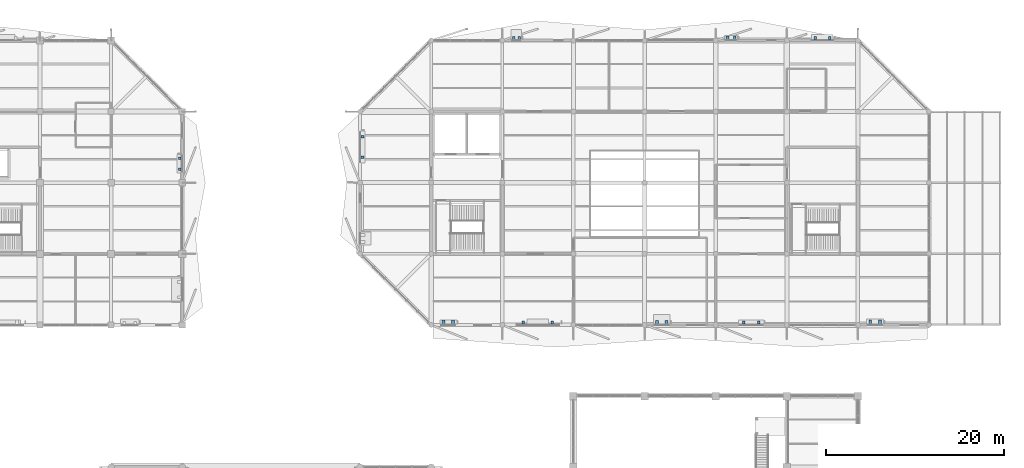
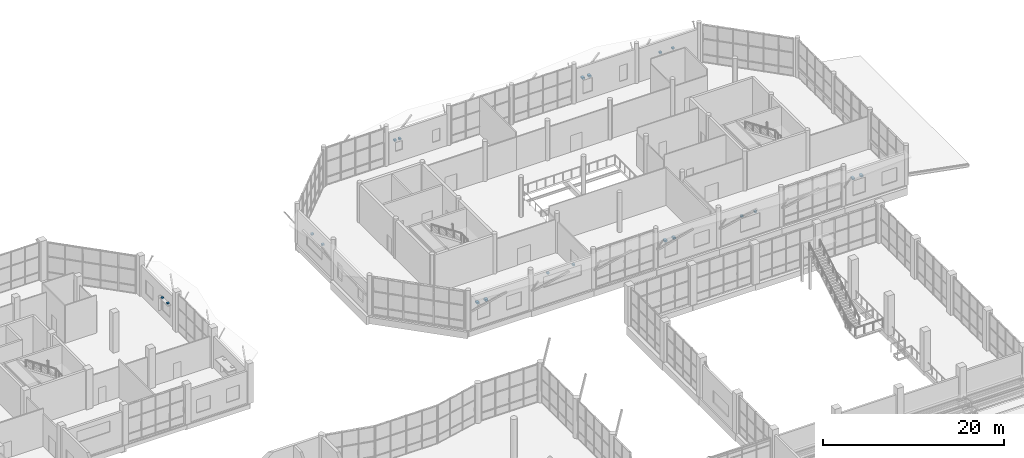
# One storey, part 114 of 122: 20 discrete accessories.
"""IFC4 building model written with IfcOpenShell, lengths in metres."""

from ifc_helpers import new_model, si_unit, direction, frame, origin, origin_2d, place, context, subcontext, project, spatial, rectangle, extrude, material, type_object, element, save


model = new_model("IFC4")

# Units and contexts
model_context = context("Model", 3, precision=1e-05, world=origin(), true_north=direction((0.0, 1.0)))
body_context = subcontext(model_context, "Body", "Model", "MODEL_VIEW")
ifc_project = project(units=[si_unit("LENGTHUNIT", "METRE"), si_unit("AREAUNIT", "SQUARE_METRE"), si_unit("VOLUMEUNIT", "CUBIC_METRE"), si_unit("PLANEANGLEUNIT", "RADIAN"), si_unit("MASSUNIT", "GRAM", prefix="KILO")], contexts=[model_context])

# Site, building, storey
site_placement = place(None, origin())
site = spatial("IfcSite", under=ifc_project, at=site_placement, CompositionType="ELEMENT")
building_placement = place(site_placement, origin())
building = spatial("IfcBuilding", under=site, at=building_placement, Name="Tenunan Teduh Sports Hall", CompositionType="ELEMENT")
storey_placement = place(building_placement, frame((0.0, 0.0, 5.39990234375)))
storey = spatial("IfcBuildingStorey", under=building, at=storey_placement, Name="L01", CompositionType="ELEMENT", Elevation=5.39990234375)

# Discrete accessories
ifc_material_1 = material(Name="Steel S355", Category="steel")
discrete_accessory_type_1 = type_object("IfcDiscreteAccessoryType", Name="BRK-SHD-1", PredefinedType="BRACKET", material=ifc_material_1)
for number, where, z_axis, x_axis, name in (
    (1, (77.72509765625, 103.512939453125, 2.64990234375), (0.0, 0.0, 1.0), (0.0, 1.0, 0.0), "BRK-L01-030-1"),
    (2, (77.72509765625, 104.737060546875, 2.64990234375), (0.0, 0.0, 1.0), (0.0, 1.0, 0.0), "BRK-L01-030-2"),
    (3, (116.363037109375, 86.27001953125, 3.7001953125), (0.0, 0.0, 1.0), (1.0, 0.0, 0.0), "BRK-L01-082-1"),
    (4, (119.626953125, 86.27001953125, 3.7001953125), (0.0, 0.0, 1.0), (1.0, 0.0, 0.0), "BRK-L01-082-2"),
    (5, (141.133056640625, 86.27001953125, 2.75), (0.0, 0.0, 1.0), (1.0, 0.0, 0.0), "BRK-L01-084-1"),
    (6, (142.866943359375, 86.27001953125, 2.75), (0.0, 0.0, 1.0), (1.0, 0.0, 0.0), "BRK-L01-084-2"),
    (7, (115.26904296875, 118.27490234375, 2.64990234375), (0.0, 0.0, 1.0), (1.0, 0.0, 0.0), "BRK-L01-086-1"),
    (8, (115.881103515625, 118.27490234375, 2.64990234375), (0.0, 0.0, 1.0), (1.0, 0.0, 0.0), "BRK-L01-086-2"),
    (9, (149.178955078125, 118.27001953125, 2.64990234375), (0.0, 0.0, 1.0), (1.0, 0.0, 0.0), "BRK-L01-088-1"),
    (10, (150.81103515625, 118.27001953125, 2.64990234375), (0.0, 0.0, 1.0), (1.0, 0.0, 0.0), "BRK-L01-088-2"),
    (11, (98.27001953125, 104.839111328125, 2.64990234375), (0.0, 0.0, 1.0), (0.0, 1.0, 0.0), "BRK-L01-090-1"),
    (12, (98.27001953125, 107.15087890625, 2.64990234375), (0.0, 0.0, 1.0), (0.0, 1.0, 0.0), "BRK-L01-090-2"),
):
    element("IfcDiscreteAccessory", number, at=place(storey_placement, frame(where, z_axis=z_axis, x_axis=x_axis)), inside=storey, type_object=discrete_accessory_type_1, Name=name, PredefinedType="BRACKET", context=body_context, shape_type="SweptSolid", body=[
        extrude(rectangle(XDim=0.280029296875, YDim=0.300048828125, at=origin_2d()), origin(), (0.0, 0.0, 1.0), 0.219970703125),
    ])
ifc_material_2 = material(Name="Steel S355", Category="steel")
discrete_accessory_type_2 = type_object("IfcDiscreteAccessoryType", Name="BRK-SHD-2", PredefinedType="BRACKET", material=ifc_material_2)
for number, where, z_axis, x_axis, name in (
    (13, (107.381103515625, 86.3349609375, 2.830078125), (0.0, 0.0, 1.0), (1.0, 0.0, 0.0), "BRK-L01-081-1"),
    (14, (108.468994140625, 86.3349609375, 2.830078125), (0.0, 0.0, 1.0), (1.0, 0.0, 0.0), "BRK-L01-081-2"),
    (15, (131.381103515625, 86.31494140625, 2.830078125), (0.0, 0.0, 1.0), (1.0, 0.0, 0.0), "BRK-L01-083-1"),
    (16, (132.468994140625, 86.31494140625, 2.830078125), (0.0, 0.0, 1.0), (1.0, 0.0, 0.0), "BRK-L01-083-2"),
    (17, (155.381103515625, 86.3349609375, 2.830078125), (0.0, 0.0, 1.0), (1.0, 0.0, 0.0), "BRK-L01-085-1"),
    (18, (156.468994140625, 86.3349609375, 2.830078125), (0.0, 0.0, 1.0), (1.0, 0.0, 0.0), "BRK-L01-085-2"),
    (19, (139.31689453125, 118.31494140625, 2.6298828125), (0.0, 0.0, 1.0), (1.0, 0.0, 0.0), "BRK-L01-087-1"),
    (20, (140.133056640625, 118.31494140625, 2.6298828125), (0.0, 0.0, 1.0), (1.0, 0.0, 0.0), "BRK-L01-087-2"),
):
    element("IfcDiscreteAccessory", number, at=place(storey_placement, frame(where, z_axis=z_axis, x_axis=x_axis)), inside=storey, type_object=discrete_accessory_type_2, Name=name, PredefinedType="BRACKET", context=body_context, shape_type="SweptSolid", body=[
        extrude(rectangle(XDim=0.320068359375, YDim=0.419921875, at=origin_2d()), origin(), (0.0, 0.0, 1.0), 0.260009765625),
    ])

save(model, "model.ifc")
